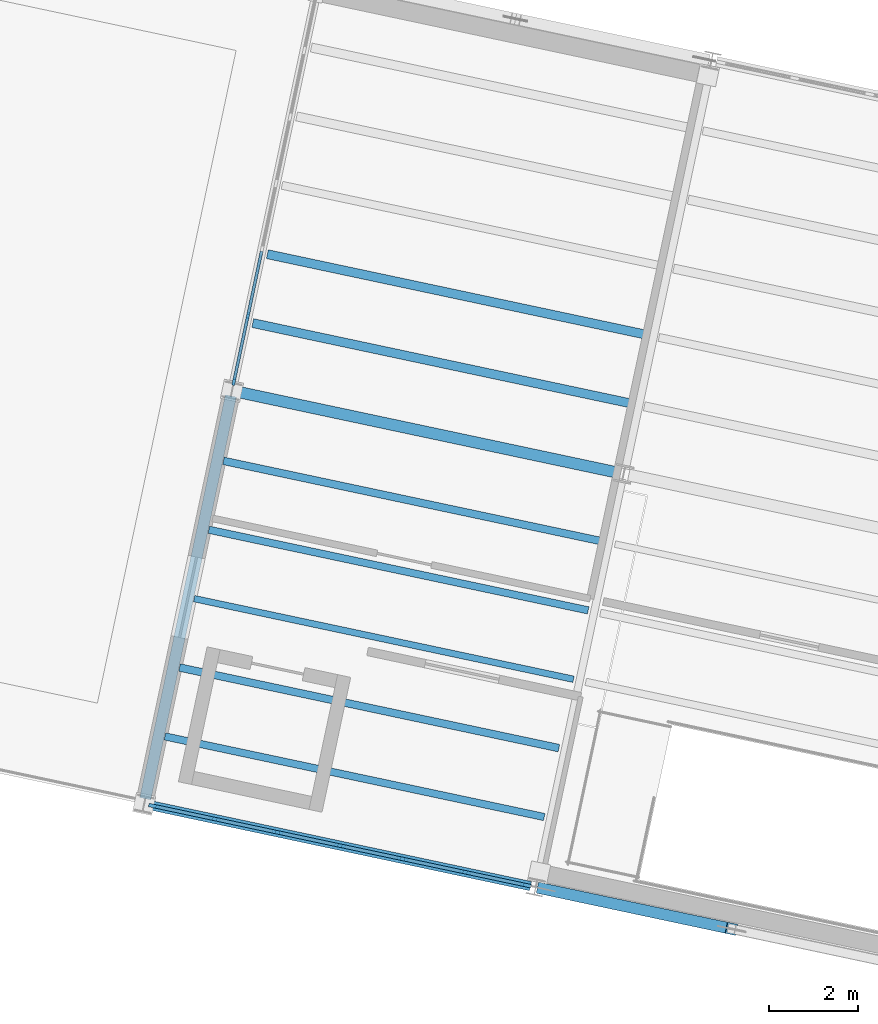
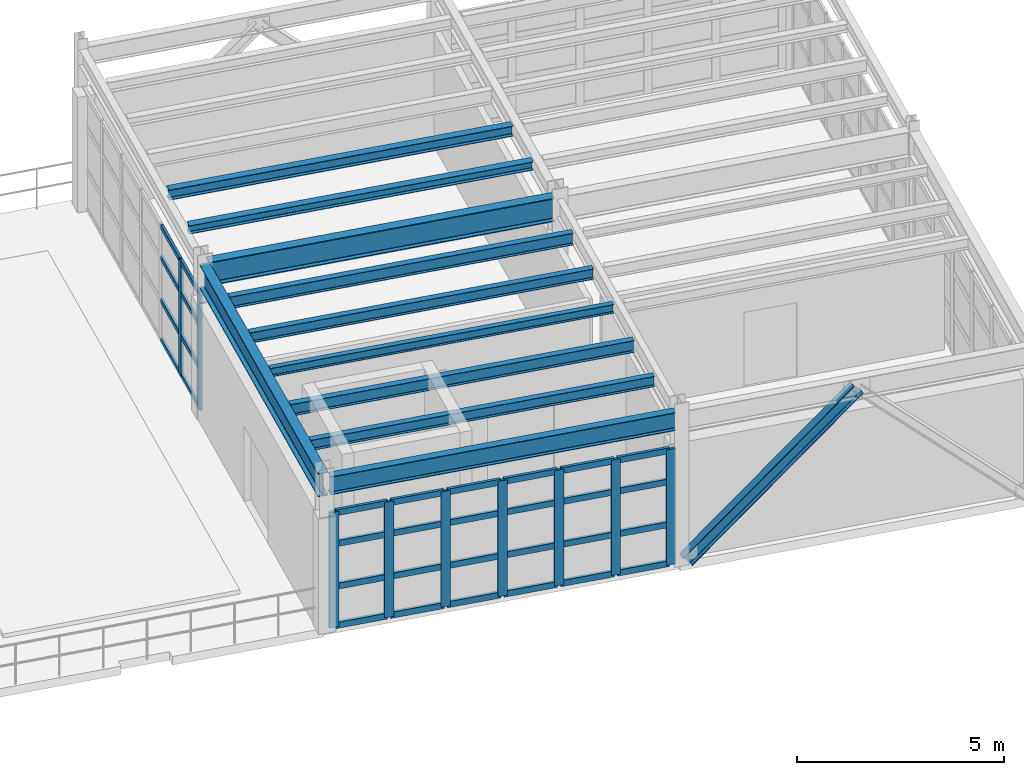
# One storey, part 54 of 109: 42 members, 10 beams, 2 elements without a shape of their own.
"""IFC4 building model written with IfcOpenShell, lengths in metres."""

from ifc_helpers import new_model, si_unit, direction, frame, origin, origin_2d, place, context, subcontext, project, spatial, rectangle, i_section, extrude, material, layer, layer_set, material_profile, profile_set, type_object, element, aggregate, save


model = new_model("IFC4")

# Units and contexts
model_context = context("Model", 3, precision=1e-05, world=origin(), true_north=direction((0.0, 1.0)))
body_context = subcontext(model_context, "Body", "Model", "MODEL_VIEW")
ifc_project = project(units=[si_unit("LENGTHUNIT", "METRE"), si_unit("AREAUNIT", "SQUARE_METRE"), si_unit("VOLUMEUNIT", "CUBIC_METRE"), si_unit("PLANEANGLEUNIT", "RADIAN"), si_unit("MASSUNIT", "GRAM", prefix="KILO")], contexts=[model_context])

# Site, building, storey
site_placement = place(None, origin())
site = spatial("IfcSite", under=ifc_project, at=site_placement, CompositionType="ELEMENT")
building_placement = place(site_placement, origin())
building = spatial("IfcBuilding", under=site, at=building_placement, Name="Vireo Bluff Cable Station", CompositionType="ELEMENT")
storey_placement = place(building_placement, frame((0.0, 0.0, 4.800048828125)))
storey = spatial("IfcBuildingStorey", under=building, at=storey_placement, Name="L01", CompositionType="ELEMENT", Elevation=4.800048828125)

# Member
ifc_material_1 = material(Name="Steel ASTM A992 Gr. 50", Category="steel")
ifc_material_profile_1 = material_profile(ifc_material_1, i_section(OverallWidth=0.25390625, OverallDepth=0.35302734375, WebThickness=0.009521484375, FlangeThickness=0.016357421875, FilletRadius=0.011962890625, at=origin_2d()), Name="W14X61")
ifc_profile_set_1 = profile_set([ifc_material_profile_1], Name="Steel ASTM A992 Gr. 50")
member_type_1 = type_object("IfcMemberType", Name="BRC-06", PredefinedType="BRACE", material=ifc_profile_set_1)
member_1_placement = place(storey_placement, frame((147.76318359375, 6.224365234375, 0.0400390625), z_axis=(0.707775608155, -0.150445056806, 0.690231825827), x_axis=(0.207915270313, 0.978146839882, 0.0)))
element("IfcMember", 1, at=member_1_placement, inside=storey, type_object=member_type_1, Name="V5E L01 concentric brace 107L", PredefinedType="BRACE", context=body_context, shape_type="SweptSolid", body=[
    extrude(i_section(OverallWidth=0.25390625, OverallDepth=0.35302734375, WebThickness=0.009521484375, FlangeThickness=0.016357421875, FilletRadius=0.011962890625, at=origin_2d()), origin(), (0.0, 0.0, 1.0), 5.997802734375),
])

# Curtain wall, members
ifc_material_2 = material(Name="Anodized Aluminium 6063-T6", Category="aluminium")
ifc_layer_1 = layer(ifc_material_2, 0.179931640625, Name="Anodized Aluminium 6063-T6")
ifc_layer_set_1 = layer_set([ifc_layer_1], Name="Anodized Aluminium 6063-T6")
curtain_wall_type_1 = type_object("IfcCurtainWallType", Name="CW-UNIT-1500", PredefinedType="USERDEFINED", material=ifc_layer_set_1)
curtain_wall_1_placement = place(storey_placement, origin())
curtain_wall_1 = element("IfcCurtainWall", 2, at=curtain_wall_1_placement, inside=storey, type_object=curtain_wall_type_1, Name="V5E L01 west curtain wall CW-136", ObjectType="UNITISED CURTAIN WALL", PredefinedType="USERDEFINED")
ifc_material_profile_2 = material_profile(ifc_material_2, rectangle(XDim=0.06494140625, YDim=0.179931640625, at=origin_2d()), Name="ALU-M-65X180")
ifc_profile_set_2 = profile_set([ifc_material_profile_2], Name="Anodized Aluminium 6063-T6")
member_type_2 = type_object("IfcMemberType", Name="CWM-01", PredefinedType="MULLION", material=ifc_profile_set_2)
member_2_placement = place(storey_placement, frame((140.822998046875, 17.631103515625, 0.0), z_axis=(0.0, 0.0, 1.0), x_axis=(-0.978147599921, 0.207911694642, 0.0)))
member_2 = element("IfcMember", 3, at=member_2_placement, type_object=member_type_2, Name="CW-136 mullion 1", PredefinedType="MULLION", context=body_context, shape_type="SweptSolid", body=[
    extrude(rectangle(XDim=0.06494140625, YDim=0.179931640625, at=origin_2d()), origin(), (0.0, 0.0, 1.0), 3.39990234375),
])
member_3_placement = place(storey_placement, frame((141.1337890625, 19.0927734375, 0.0), z_axis=(0.0, 0.0, 1.0), x_axis=(-0.978147599921, 0.207911694642, 0.0)))
member_3 = element("IfcMember", 4, at=member_3_placement, type_object=member_type_2, Name="CW-136 mullion 2", PredefinedType="MULLION", context=body_context, shape_type="SweptSolid", body=[
    extrude(rectangle(XDim=0.06494140625, YDim=0.179931640625, at=origin_2d()), origin(), (0.0, 0.0, 1.0), 3.39990234375),
])

ifc_layer_2 = layer(ifc_material_2, 0.179931640625, Name="Anodized Aluminium 6063-T6")
ifc_layer_set_2 = layer_set([ifc_layer_2], Name="Anodized Aluminium 6063-T6")
curtain_wall_type_2 = type_object("IfcCurtainWallType", Name="CW-UNIT-1400", PredefinedType="USERDEFINED", material=ifc_layer_set_2)
curtain_wall_2_placement = place(storey_placement, origin())
curtain_wall_2 = element("IfcCurtainWall", 5, at=curtain_wall_2_placement, inside=storey, type_object=curtain_wall_type_2, Name="V5E L01 south curtain wall CW-135", ObjectType="UNITISED CURTAIN WALL", PredefinedType="USERDEFINED")
ifc_material_profile_3 = material_profile(ifc_material_2, rectangle(XDim=0.080078125, YDim=0.239990234375, at=origin_2d()), Name="ALU-M-80X240")
ifc_profile_set_3 = profile_set([ifc_material_profile_3], Name="Anodized Aluminium 6063-T6")
member_type_3 = type_object("IfcMemberType", Name="CWM-04", PredefinedType="MULLION", material=ifc_profile_set_3)
member_4_placement = place(storey_placement, frame((147.384521484375, 6.3046875, 0.0), z_axis=(0.0, 0.0, 1.0), x_axis=(-0.207911668454, -0.978147605487, 0.0)))
member_4 = element("IfcMember", 6, at=member_4_placement, type_object=member_type_3, Name="CW-135 mullion 1", PredefinedType="MULLION", context=body_context, shape_type="SweptSolid", body=[
    extrude(rectangle(XDim=0.080078125, YDim=0.239990234375, at=origin_2d()), origin(), (0.0, 0.0, 1.0), 3.39990234375),
])
member_5_placement = place(storey_placement, frame((146.017578125, 6.595458984375, 0.0), z_axis=(0.0, 0.0, 1.0), x_axis=(-0.207911668454, -0.978147605487, 0.0)))
member_5 = element("IfcMember", 7, at=member_5_placement, type_object=member_type_3, Name="CW-135 mullion 2", PredefinedType="MULLION", context=body_context, shape_type="SweptSolid", body=[
    extrude(rectangle(XDim=0.080078125, YDim=0.239990234375, at=origin_2d()), origin(), (0.0, 0.0, 1.0), 3.39990234375),
])
member_6_placement = place(storey_placement, frame((144.611328125, 6.894287109375, 0.0), z_axis=(0.0, 0.0, 1.0), x_axis=(-0.207911668454, -0.978147605487, 0.0)))
member_6 = element("IfcMember", 8, at=member_6_placement, type_object=member_type_3, Name="CW-135 mullion 3", PredefinedType="MULLION", context=body_context, shape_type="SweptSolid", body=[
    extrude(rectangle(XDim=0.080078125, YDim=0.239990234375, at=origin_2d()), origin(), (0.0, 0.0, 1.0), 3.39990234375),
])
member_7_placement = place(storey_placement, frame((143.205078125, 7.193115234375, 0.0), z_axis=(0.0, 0.0, 1.0), x_axis=(-0.207911668454, -0.978147605487, 0.0)))
member_7 = element("IfcMember", 9, at=member_7_placement, type_object=member_type_3, Name="CW-135 mullion 4", PredefinedType="MULLION", context=body_context, shape_type="SweptSolid", body=[
    extrude(rectangle(XDim=0.080078125, YDim=0.239990234375, at=origin_2d()), origin(), (0.0, 0.0, 1.0), 3.39990234375),
])
member_8_placement = place(storey_placement, frame((141.798828125, 7.4921875, 0.0), z_axis=(0.0, 0.0, 1.0), x_axis=(-0.207911668454, -0.978147605487, 0.0)))
member_8 = element("IfcMember", 10, at=member_8_placement, type_object=member_type_3, Name="CW-135 mullion 5", PredefinedType="MULLION", context=body_context, shape_type="SweptSolid", body=[
    extrude(rectangle(XDim=0.080078125, YDim=0.239990234375, at=origin_2d()), origin(), (0.0, 0.0, 1.0), 3.39990234375),
])
member_9_placement = place(storey_placement, frame((140.392578125, 7.791015625, 0.0), z_axis=(0.0, 0.0, 1.0), x_axis=(-0.207911668454, -0.978147605487, 0.0)))
member_9 = element("IfcMember", 11, at=member_9_placement, type_object=member_type_3, Name="CW-135 mullion 6", PredefinedType="MULLION", context=body_context, shape_type="SweptSolid", body=[
    extrude(rectangle(XDim=0.080078125, YDim=0.239990234375, at=origin_2d()), origin(), (0.0, 0.0, 1.0), 3.39990234375),
])
member_10_placement = place(storey_placement, frame((139.025390625, 8.08154296875, 0.0), z_axis=(0.0, 0.0, 1.0), x_axis=(-0.207911668454, -0.978147605487, 0.0)))
member_10 = element("IfcMember", 12, at=member_10_placement, type_object=member_type_3, Name="CW-135 mullion 7", PredefinedType="MULLION", context=body_context, shape_type="SweptSolid", body=[
    extrude(rectangle(XDim=0.080078125, YDim=0.239990234375, at=origin_2d()), origin(), (0.0, 0.0, 1.0), 3.39990234375),
])

# Member
ifc_material_profile_4 = material_profile(ifc_material_2, rectangle(XDim=0.06494140625, YDim=0.139892578125, at=origin_2d()), Name="ALU-T-65X140")
ifc_profile_set_4 = profile_set([ifc_material_profile_4], Name="Anodized Aluminium 6063-T6")
member_type_4 = type_object("IfcMemberType", Name="CWT-01", PredefinedType="USERDEFINED", material=ifc_profile_set_4)
member_11_placement = place(storey_placement, frame((140.829833984375, 17.662841796875, 0.032470703125), z_axis=(0.207895530943, 0.978151035482, 0.0), x_axis=(-0.978151035482, 0.207895530943, 0.0)))
member_11 = element("IfcMember", 13, at=member_11_placement, type_object=member_type_4, Name="CW-136 transom 1.1", ObjectType="TRANSOM", PredefinedType="USERDEFINED", context=body_context, shape_type="SweptSolid", body=[
    extrude(rectangle(XDim=0.06494140625, YDim=0.139892578125, at=origin_2d()), origin(), (0.0, 0.0, 1.0), 1.42919921875),
])

member_12_placement = place(storey_placement, frame((140.829833984375, 17.662841796875, 1.18994140625), z_axis=(0.207895530943, 0.978151035482, 0.0), x_axis=(-0.978151035482, 0.207895530943, 0.0)))
member_12 = element("IfcMember", 14, at=member_12_placement, type_object=member_type_4, Name="CW-136 transom 1.2", ObjectType="TRANSOM", PredefinedType="USERDEFINED", context=body_context, shape_type="SweptSolid", body=[
    extrude(rectangle(XDim=0.06494140625, YDim=0.139892578125, at=origin_2d()), origin(), (0.0, 0.0, 1.0), 1.42919921875),
])

member_13_placement = place(storey_placement, frame((140.829833984375, 17.662841796875, 2.447998046875), z_axis=(0.207895530943, 0.978151035482, 0.0), x_axis=(-0.978151035482, 0.207895530943, 0.0)))
member_13 = element("IfcMember", 15, at=member_13_placement, type_object=member_type_4, Name="CW-136 transom 1.3", ObjectType="TRANSOM", PredefinedType="USERDEFINED", context=body_context, shape_type="SweptSolid", body=[
    extrude(rectangle(XDim=0.06494140625, YDim=0.139892578125, at=origin_2d()), origin(), (0.0, 0.0, 1.0), 1.42919921875),
])

member_14_placement = place(storey_placement, frame((140.829833984375, 17.662841796875, 3.367431640625), z_axis=(0.207895530943, 0.978151035482, 0.0), x_axis=(-0.978151035482, 0.207895530943, 0.0)))
member_14 = element("IfcMember", 16, at=member_14_placement, type_object=member_type_4, Name="CW-136 transom 1.4", ObjectType="TRANSOM", PredefinedType="USERDEFINED", context=body_context, shape_type="SweptSolid", body=[
    extrude(rectangle(XDim=0.06494140625, YDim=0.139892578125, at=origin_2d()), origin(), (0.0, 0.0, 1.0), 1.42919921875),
])

member_15_placement = place(storey_placement, frame((141.140625, 19.12451171875, 0.032470703125), z_axis=(0.207920673673, 0.978145691326, 0.0), x_axis=(-0.978145691326, 0.207920673673, 0.0)))
member_15 = element("IfcMember", 17, at=member_15_placement, type_object=member_type_4, Name="CW-136 transom 2.1", ObjectType="TRANSOM", PredefinedType="USERDEFINED", context=body_context, shape_type="SweptSolid", body=[
    extrude(rectangle(XDim=0.06494140625, YDim=0.139892578125, at=origin_2d()), origin(), (0.0, 0.0, 1.0), 1.4619140625),
])

member_16_placement = place(storey_placement, frame((141.140625, 19.12451171875, 1.18994140625), z_axis=(0.207920673673, 0.978145691326, 0.0), x_axis=(-0.978145691326, 0.207920673673, 0.0)))
member_16 = element("IfcMember", 18, at=member_16_placement, type_object=member_type_4, Name="CW-136 transom 2.2", ObjectType="TRANSOM", PredefinedType="USERDEFINED", context=body_context, shape_type="SweptSolid", body=[
    extrude(rectangle(XDim=0.06494140625, YDim=0.139892578125, at=origin_2d()), origin(), (0.0, 0.0, 1.0), 1.4619140625),
])

member_17_placement = place(storey_placement, frame((141.140625, 19.12451171875, 2.447998046875), z_axis=(0.207920673673, 0.978145691326, 0.0), x_axis=(-0.978145691326, 0.207920673673, 0.0)))
member_17 = element("IfcMember", 19, at=member_17_placement, type_object=member_type_4, Name="CW-136 transom 2.3", ObjectType="TRANSOM", PredefinedType="USERDEFINED", context=body_context, shape_type="SweptSolid", body=[
    extrude(rectangle(XDim=0.06494140625, YDim=0.139892578125, at=origin_2d()), origin(), (0.0, 0.0, 1.0), 1.4619140625),
])

member_18_placement = place(storey_placement, frame((141.140625, 19.12451171875, 3.367431640625), z_axis=(0.207920673673, 0.978145691326, 0.0), x_axis=(-0.978145691326, 0.207920673673, 0.0)))
member_18 = element("IfcMember", 20, at=member_18_placement, type_object=member_type_4, Name="CW-136 transom 2.4", ObjectType="TRANSOM", PredefinedType="USERDEFINED", context=body_context, shape_type="SweptSolid", body=[
    extrude(rectangle(XDim=0.06494140625, YDim=0.139892578125, at=origin_2d()), origin(), (0.0, 0.0, 1.0), 1.4619140625),
])

aggregate(curtain_wall_1, [member_2, member_3, member_11, member_12, member_13, member_14, member_15, member_16, member_17, member_18])

ifc_material_profile_5 = material_profile(ifc_material_2, rectangle(XDim=0.080078125, YDim=0.175048828125, at=origin_2d()), Name="ALU-T-80X175")
ifc_profile_set_5 = profile_set([ifc_material_profile_5], Name="Anodized Aluminium 6063-T6")
member_type_5 = type_object("IfcMemberType", Name="CWT-04", PredefinedType="USERDEFINED", material=ifc_profile_set_5)
member_19_placement = place(storey_placement, frame((147.345458984375, 6.31298828125, 0.0400390625), z_axis=(-0.978113150371, 0.208073701055, 0.0), x_axis=(-0.208073701055, -0.978113150371, 0.0)))
member_19 = element("IfcMember", 21, at=member_19_placement, type_object=member_type_5, Name="CW-135 transom 1.1", ObjectType="TRANSOM", PredefinedType="USERDEFINED", context=body_context, shape_type="SweptSolid", body=[
    extrude(rectangle(XDim=0.080078125, YDim=0.175048828125, at=origin_2d()), origin(), (0.0, 0.0, 1.0), 1.317626953125),
])

member_20_placement = place(storey_placement, frame((147.345458984375, 6.31298828125, 1.18994140625), z_axis=(-0.978113150371, 0.208073701055, 0.0), x_axis=(-0.208073701055, -0.978113150371, 0.0)))
member_20 = element("IfcMember", 22, at=member_20_placement, type_object=member_type_5, Name="CW-135 transom 1.2", ObjectType="TRANSOM", PredefinedType="USERDEFINED", context=body_context, shape_type="SweptSolid", body=[
    extrude(rectangle(XDim=0.080078125, YDim=0.175048828125, at=origin_2d()), origin(), (0.0, 0.0, 1.0), 1.317626953125),
])

member_21_placement = place(storey_placement, frame((147.345458984375, 6.31298828125, 2.447998046875), z_axis=(-0.978113150371, 0.208073701055, 0.0), x_axis=(-0.208073701055, -0.978113150371, 0.0)))
member_21 = element("IfcMember", 23, at=member_21_placement, type_object=member_type_5, Name="CW-135 transom 1.3", ObjectType="TRANSOM", PredefinedType="USERDEFINED", context=body_context, shape_type="SweptSolid", body=[
    extrude(rectangle(XDim=0.080078125, YDim=0.175048828125, at=origin_2d()), origin(), (0.0, 0.0, 1.0), 1.317626953125),
])

member_22_placement = place(storey_placement, frame((147.345458984375, 6.31298828125, 3.35986328125), z_axis=(-0.978113150371, 0.208073701055, 0.0), x_axis=(-0.208073701055, -0.978113150371, 0.0)))
member_22 = element("IfcMember", 24, at=member_22_placement, type_object=member_type_5, Name="CW-135 transom 1.4", ObjectType="TRANSOM", PredefinedType="USERDEFINED", context=body_context, shape_type="SweptSolid", body=[
    extrude(rectangle(XDim=0.080078125, YDim=0.175048828125, at=origin_2d()), origin(), (0.0, 0.0, 1.0), 1.317626953125),
])

member_23_placement = place(storey_placement, frame((145.978271484375, 6.603759765625, 0.0400390625), z_axis=(-0.97815108019, 0.207895320592, 0.0), x_axis=(-0.207895320592, -0.97815108019, 0.0)))
member_23 = element("IfcMember", 25, at=member_23_placement, type_object=member_type_5, Name="CW-135 transom 2.1", ObjectType="TRANSOM", PredefinedType="USERDEFINED", context=body_context, shape_type="SweptSolid", body=[
    extrude(rectangle(XDim=0.080078125, YDim=0.175048828125, at=origin_2d()), origin(), (0.0, 0.0, 1.0), 1.357421875),
])

member_24_placement = place(storey_placement, frame((145.978271484375, 6.603759765625, 1.18994140625), z_axis=(-0.97815108019, 0.207895320592, 0.0), x_axis=(-0.207895320592, -0.97815108019, 0.0)))
member_24 = element("IfcMember", 26, at=member_24_placement, type_object=member_type_5, Name="CW-135 transom 2.2", ObjectType="TRANSOM", PredefinedType="USERDEFINED", context=body_context, shape_type="SweptSolid", body=[
    extrude(rectangle(XDim=0.080078125, YDim=0.175048828125, at=origin_2d()), origin(), (0.0, 0.0, 1.0), 1.357421875),
])

member_25_placement = place(storey_placement, frame((145.978271484375, 6.603759765625, 2.447998046875), z_axis=(-0.97815108019, 0.207895320592, 0.0), x_axis=(-0.207895320592, -0.97815108019, 0.0)))
member_25 = element("IfcMember", 27, at=member_25_placement, type_object=member_type_5, Name="CW-135 transom 2.3", ObjectType="TRANSOM", PredefinedType="USERDEFINED", context=body_context, shape_type="SweptSolid", body=[
    extrude(rectangle(XDim=0.080078125, YDim=0.175048828125, at=origin_2d()), origin(), (0.0, 0.0, 1.0), 1.357421875),
])

member_26_placement = place(storey_placement, frame((145.978271484375, 6.603759765625, 3.35986328125), z_axis=(-0.97815108019, 0.207895320592, 0.0), x_axis=(-0.207895320592, -0.97815108019, 0.0)))
member_26 = element("IfcMember", 28, at=member_26_placement, type_object=member_type_5, Name="CW-135 transom 2.4", ObjectType="TRANSOM", PredefinedType="USERDEFINED", context=body_context, shape_type="SweptSolid", body=[
    extrude(rectangle(XDim=0.080078125, YDim=0.175048828125, at=origin_2d()), origin(), (0.0, 0.0, 1.0), 1.357421875),
])

member_27_placement = place(storey_placement, frame((144.572021484375, 6.902587890625, 0.0400390625), z_axis=(-0.97815108019, 0.207895320592, 0.0), x_axis=(-0.207895320592, -0.97815108019, 0.0)))
member_27 = element("IfcMember", 29, at=member_27_placement, type_object=member_type_5, Name="CW-135 transom 3.1", ObjectType="TRANSOM", PredefinedType="USERDEFINED", context=body_context, shape_type="SweptSolid", body=[
    extrude(rectangle(XDim=0.080078125, YDim=0.175048828125, at=origin_2d()), origin(), (0.0, 0.0, 1.0), 1.357421875),
])

member_28_placement = place(storey_placement, frame((144.572021484375, 6.902587890625, 1.18994140625), z_axis=(-0.97815108019, 0.207895320592, 0.0), x_axis=(-0.207895320592, -0.97815108019, 0.0)))
member_28 = element("IfcMember", 30, at=member_28_placement, type_object=member_type_5, Name="CW-135 transom 3.2", ObjectType="TRANSOM", PredefinedType="USERDEFINED", context=body_context, shape_type="SweptSolid", body=[
    extrude(rectangle(XDim=0.080078125, YDim=0.175048828125, at=origin_2d()), origin(), (0.0, 0.0, 1.0), 1.357421875),
])

member_29_placement = place(storey_placement, frame((144.572021484375, 6.902587890625, 2.447998046875), z_axis=(-0.97815108019, 0.207895320592, 0.0), x_axis=(-0.207895320592, -0.97815108019, 0.0)))
member_29 = element("IfcMember", 31, at=member_29_placement, type_object=member_type_5, Name="CW-135 transom 3.3", ObjectType="TRANSOM", PredefinedType="USERDEFINED", context=body_context, shape_type="SweptSolid", body=[
    extrude(rectangle(XDim=0.080078125, YDim=0.175048828125, at=origin_2d()), origin(), (0.0, 0.0, 1.0), 1.357421875),
])

member_30_placement = place(storey_placement, frame((144.572021484375, 6.902587890625, 3.35986328125), z_axis=(-0.97815108019, 0.207895320592, 0.0), x_axis=(-0.207895320592, -0.97815108019, 0.0)))
member_30 = element("IfcMember", 32, at=member_30_placement, type_object=member_type_5, Name="CW-135 transom 3.4", ObjectType="TRANSOM", PredefinedType="USERDEFINED", context=body_context, shape_type="SweptSolid", body=[
    extrude(rectangle(XDim=0.080078125, YDim=0.175048828125, at=origin_2d()), origin(), (0.0, 0.0, 1.0), 1.357421875),
])

member_31_placement = place(storey_placement, frame((143.165771484375, 7.201416015625, 0.0400390625), z_axis=(-0.978114495366, 0.208067378404, 0.0), x_axis=(-0.208067378404, -0.978114495366, 0.0)))
member_31 = element("IfcMember", 33, at=member_31_placement, type_object=member_type_5, Name="CW-135 transom 4.1", ObjectType="TRANSOM", PredefinedType="USERDEFINED", context=body_context, shape_type="SweptSolid", body=[
    extrude(rectangle(XDim=0.080078125, YDim=0.175048828125, at=origin_2d()), origin(), (0.0, 0.0, 1.0), 1.357666015625),
])

member_32_placement = place(storey_placement, frame((143.165771484375, 7.201416015625, 1.18994140625), z_axis=(-0.978114495366, 0.208067378404, 0.0), x_axis=(-0.208067378404, -0.978114495366, 0.0)))
member_32 = element("IfcMember", 34, at=member_32_placement, type_object=member_type_5, Name="CW-135 transom 4.2", ObjectType="TRANSOM", PredefinedType="USERDEFINED", context=body_context, shape_type="SweptSolid", body=[
    extrude(rectangle(XDim=0.080078125, YDim=0.175048828125, at=origin_2d()), origin(), (0.0, 0.0, 1.0), 1.357666015625),
])

member_33_placement = place(storey_placement, frame((143.165771484375, 7.201416015625, 2.447998046875), z_axis=(-0.978114495366, 0.208067378404, 0.0), x_axis=(-0.208067378404, -0.978114495366, 0.0)))
member_33 = element("IfcMember", 35, at=member_33_placement, type_object=member_type_5, Name="CW-135 transom 4.3", ObjectType="TRANSOM", PredefinedType="USERDEFINED", context=body_context, shape_type="SweptSolid", body=[
    extrude(rectangle(XDim=0.080078125, YDim=0.175048828125, at=origin_2d()), origin(), (0.0, 0.0, 1.0), 1.357666015625),
])

member_34_placement = place(storey_placement, frame((143.165771484375, 7.201416015625, 3.35986328125), z_axis=(-0.978114495366, 0.208067378404, 0.0), x_axis=(-0.208067378404, -0.978114495366, 0.0)))
member_34 = element("IfcMember", 36, at=member_34_placement, type_object=member_type_5, Name="CW-135 transom 4.4", ObjectType="TRANSOM", PredefinedType="USERDEFINED", context=body_context, shape_type="SweptSolid", body=[
    extrude(rectangle(XDim=0.080078125, YDim=0.175048828125, at=origin_2d()), origin(), (0.0, 0.0, 1.0), 1.357666015625),
])

member_35_placement = place(storey_placement, frame((141.759521484375, 7.50048828125, 0.0400390625), z_axis=(-0.97815108019, 0.207895320592, 0.0), x_axis=(-0.207895320592, -0.97815108019, 0.0)))
member_35 = element("IfcMember", 37, at=member_35_placement, type_object=member_type_5, Name="CW-135 transom 5.1", ObjectType="TRANSOM", PredefinedType="USERDEFINED", context=body_context, shape_type="SweptSolid", body=[
    extrude(rectangle(XDim=0.080078125, YDim=0.175048828125, at=origin_2d()), origin(), (0.0, 0.0, 1.0), 1.357421875),
])

member_36_placement = place(storey_placement, frame((141.759521484375, 7.50048828125, 1.18994140625), z_axis=(-0.97815108019, 0.207895320592, 0.0), x_axis=(-0.207895320592, -0.97815108019, 0.0)))
member_36 = element("IfcMember", 38, at=member_36_placement, type_object=member_type_5, Name="CW-135 transom 5.2", ObjectType="TRANSOM", PredefinedType="USERDEFINED", context=body_context, shape_type="SweptSolid", body=[
    extrude(rectangle(XDim=0.080078125, YDim=0.175048828125, at=origin_2d()), origin(), (0.0, 0.0, 1.0), 1.357421875),
])

member_37_placement = place(storey_placement, frame((141.759521484375, 7.50048828125, 2.447998046875), z_axis=(-0.97815108019, 0.207895320592, 0.0), x_axis=(-0.207895320592, -0.97815108019, 0.0)))
member_37 = element("IfcMember", 39, at=member_37_placement, type_object=member_type_5, Name="CW-135 transom 5.3", ObjectType="TRANSOM", PredefinedType="USERDEFINED", context=body_context, shape_type="SweptSolid", body=[
    extrude(rectangle(XDim=0.080078125, YDim=0.175048828125, at=origin_2d()), origin(), (0.0, 0.0, 1.0), 1.357421875),
])

member_38_placement = place(storey_placement, frame((141.759521484375, 7.50048828125, 3.35986328125), z_axis=(-0.97815108019, 0.207895320592, 0.0), x_axis=(-0.207895320592, -0.97815108019, 0.0)))
member_38 = element("IfcMember", 40, at=member_38_placement, type_object=member_type_5, Name="CW-135 transom 5.4", ObjectType="TRANSOM", PredefinedType="USERDEFINED", context=body_context, shape_type="SweptSolid", body=[
    extrude(rectangle(XDim=0.080078125, YDim=0.175048828125, at=origin_2d()), origin(), (0.0, 0.0, 1.0), 1.357421875),
])

member_39_placement = place(storey_placement, frame((140.353271484375, 7.79931640625, 0.0400390625), z_axis=(-0.978150844649, 0.207896428812, 0.0), x_axis=(-0.207896428812, -0.978150844649, 0.0)))
member_39 = element("IfcMember", 41, at=member_39_placement, type_object=member_type_5, Name="CW-135 transom 6.1", ObjectType="TRANSOM", PredefinedType="USERDEFINED", context=body_context, shape_type="SweptSolid", body=[
    extrude(rectangle(XDim=0.080078125, YDim=0.175048828125, at=origin_2d()), origin(), (0.0, 0.0, 1.0), 1.317626953125),
])

member_40_placement = place(storey_placement, frame((140.353271484375, 7.79931640625, 1.18994140625), z_axis=(-0.978150844649, 0.207896428812, 0.0), x_axis=(-0.207896428812, -0.978150844649, 0.0)))
member_40 = element("IfcMember", 42, at=member_40_placement, type_object=member_type_5, Name="CW-135 transom 6.2", ObjectType="TRANSOM", PredefinedType="USERDEFINED", context=body_context, shape_type="SweptSolid", body=[
    extrude(rectangle(XDim=0.080078125, YDim=0.175048828125, at=origin_2d()), origin(), (0.0, 0.0, 1.0), 1.317626953125),
])

member_41_placement = place(storey_placement, frame((140.353271484375, 7.79931640625, 2.447998046875), z_axis=(-0.978150844649, 0.207896428812, 0.0), x_axis=(-0.207896428812, -0.978150844649, 0.0)))
member_41 = element("IfcMember", 43, at=member_41_placement, type_object=member_type_5, Name="CW-135 transom 6.3", ObjectType="TRANSOM", PredefinedType="USERDEFINED", context=body_context, shape_type="SweptSolid", body=[
    extrude(rectangle(XDim=0.080078125, YDim=0.175048828125, at=origin_2d()), origin(), (0.0, 0.0, 1.0), 1.317626953125),
])

member_42_placement = place(storey_placement, frame((140.353271484375, 7.79931640625, 3.35986328125), z_axis=(-0.978150844649, 0.207896428812, 0.0), x_axis=(-0.207896428812, -0.978150844649, 0.0)))
member_42 = element("IfcMember", 44, at=member_42_placement, type_object=member_type_5, Name="CW-135 transom 6.4", ObjectType="TRANSOM", PredefinedType="USERDEFINED", context=body_context, shape_type="SweptSolid", body=[
    extrude(rectangle(XDim=0.080078125, YDim=0.175048828125, at=origin_2d()), origin(), (0.0, 0.0, 1.0), 1.317626953125),
])

aggregate(curtain_wall_2, [member_4, member_5, member_6, member_7, member_8, member_9, member_10, member_19, member_20, member_21, member_22, member_23, member_24, member_25, member_26, member_27, member_28, member_29, member_30, member_31, member_32, member_33, member_34, member_35, member_36, member_37, member_38, member_39, member_40, member_41, member_42])

# Beams
ifc_material_profile_6 = material_profile(ifc_material_1, i_section(OverallWidth=0.257080078125, OverallDepth=0.693115234375, WebThickness=0.014404296875, FlangeThickness=0.023681640625, FilletRadius=0.014892578125, at=origin_2d()), Name="W27X114")
ifc_profile_set_6 = profile_set([ifc_material_profile_6], Name="Steel ASTM A992 Gr. 50")
beam_type_1 = type_object("IfcBeamType", Name="GIR-W27X114", PredefinedType="USERDEFINED", material=ifc_profile_set_6)
beam_1_placement = place(storey_placement, frame((140.895751953125, 17.396240234375, 4.153564453125), z_axis=(0.978148154167, -0.207909087104, 0.0), x_axis=(0.207909087104, 0.978148154167, 0.0)))
element("IfcBeam", 45, at=beam_1_placement, inside=storey, type_object=beam_type_1, Name="V5E L01 girder 1335", ObjectType="GIRDER", PredefinedType="USERDEFINED", context=body_context, shape_type="SweptSolid", body=[
    extrude(i_section(OverallWidth=0.257080078125, OverallDepth=0.693115234375, WebThickness=0.014404296875, FlangeThickness=0.023681640625, FilletRadius=0.014892578125, at=origin_2d()), origin(), (0.0, 0.0, 1.0), 8.760009765625),
])
ifc_material_profile_7 = material_profile(ifc_material_1, i_section(OverallWidth=0.14599609375, OverallDepth=0.259033203125, WebThickness=0.006103515625, FlangeThickness=0.009033203125, FilletRadius=0.009033203125, at=origin_2d()), Name="W10X22")
ifc_profile_set_7 = profile_set([ifc_material_profile_7], Name="Steel ASTM A992 Gr. 50")
beam_type_2 = type_object("IfcBeamType", Name="JST-W10X22", PredefinedType="JOIST", material=ifc_profile_set_7)
beam_2_placement = place(storey_placement, frame((139.927734375, 12.745849609375, 4.370361328125), z_axis=(0.978148105174, -0.207909317601, 0.0), x_axis=(0.207909317601, 0.978148105174, 0.0)))
element("IfcBeam", 46, at=beam_2_placement, inside=storey, type_object=beam_type_2, Name="V5E L01 composite joist 1347", PredefinedType="JOIST", context=body_context, shape_type="SweptSolid", body=[
    extrude(i_section(OverallWidth=0.14599609375, OverallDepth=0.259033203125, WebThickness=0.006103515625, FlangeThickness=0.009033203125, FilletRadius=0.009033203125, at=origin_2d()), origin(), (0.0, 0.0, 1.0), 8.719970703125),
])
ifc_material_profile_8 = material_profile(ifc_material_1, i_section(OverallWidth=0.201904296875, OverallDepth=0.2470703125, WebThickness=0.00732421875, FlangeThickness=0.010986328125, FilletRadius=0.009033203125, at=origin_2d()), Name="W10X33")
ifc_profile_set_8 = profile_set([ifc_material_profile_8], Name="Steel ASTM A992 Gr. 50")
beam_type_3 = type_object("IfcBeamType", Name="JST-W10X33", PredefinedType="JOIST", material=ifc_profile_set_8)
beam_3_placement = place(storey_placement, frame((141.24462890625, 18.94091796875, 4.37646484375), z_axis=(0.978148105174, -0.207909317601, 0.0), x_axis=(0.207909317601, 0.978148105174, 0.0)))
element("IfcBeam", 47, at=beam_3_placement, inside=storey, type_object=beam_type_3, Name="V5E L01 composite joist 1350", PredefinedType="JOIST", context=body_context, shape_type="SweptSolid", body=[
    extrude(i_section(OverallWidth=0.201904296875, OverallDepth=0.2470703125, WebThickness=0.00732421875, FlangeThickness=0.010986328125, FilletRadius=0.009033203125, at=origin_2d()), origin(), (0.0, 0.0, 1.0), 8.719970703125),
])
ifc_material_profile_9 = material_profile(ifc_material_1, i_section(OverallWidth=0.1650390625, OverallDepth=0.31005859375, WebThickness=0.005859375, FlangeThickness=0.009765625, FilletRadius=0.010009765625, at=origin_2d()), Name="W12X26")
ifc_profile_set_9 = profile_set([ifc_material_profile_9], Name="Steel ASTM A992 Gr. 50")
beam_type_4 = type_object("IfcBeamType", Name="JST-W12X26", PredefinedType="JOIST", material=ifc_profile_set_9)
for number, where, z_axis, x_axis, name in (
    (48, (139.26953125, 9.6484375, 4.344970703125), (0.978146894897, -0.207915011493, 0.0), (0.207915011493, 0.978146894897, 0.0), "V5E L01 composite joist 1345"),
    (49, (140.257080078125, 14.294677734375, 4.344970703125), (0.978146894897, -0.207915011493, 0.0), (0.207915011493, 0.978146894897, 0.0), "V5E L01 composite joist 1348"),
):
    element("IfcBeam", number, at=place(storey_placement, frame(where, z_axis=z_axis, x_axis=x_axis)), inside=storey, type_object=beam_type_4, Name=name, PredefinedType="JOIST", context=body_context, shape_type="SweptSolid", body=[
        extrude(i_section(OverallWidth=0.1650390625, OverallDepth=0.31005859375, WebThickness=0.005859375, FlangeThickness=0.009765625, FilletRadius=0.010009765625, at=origin_2d()), origin(), (0.0, 0.0, 1.0), 8.719970703125),
    ])
ifc_material_profile_10 = material_profile(ifc_material_1, i_section(OverallWidth=0.202880859375, OverallDepth=0.302978515625, WebThickness=0.007568359375, FlangeThickness=0.01318359375, FilletRadius=0.010009765625, at=origin_2d()), Name="W12X40")
ifc_profile_set_10 = profile_set([ifc_material_profile_10], Name="Steel ASTM A992 Gr. 50")
beam_type_5 = type_object("IfcBeamType", Name="JST-W12X40", PredefinedType="JOIST", material=ifc_profile_set_10)
beam_4_placement = place(storey_placement, frame((141.57373046875, 20.489501953125, 4.348388671875), z_axis=(0.978148105174, -0.207909317601, 0.0), x_axis=(0.207909317601, 0.978148105174, 0.0)))
element("IfcBeam", 50, at=beam_4_placement, inside=storey, type_object=beam_type_5, Name="V5E L01 composite joist 1351", PredefinedType="JOIST", context=body_context, shape_type="SweptSolid", body=[
    extrude(i_section(OverallWidth=0.202880859375, OverallDepth=0.302978515625, WebThickness=0.007568359375, FlangeThickness=0.01318359375, FilletRadius=0.010009765625, at=origin_2d()), origin(), (0.0, 0.0, 1.0), 8.719970703125),
])
ifc_material_profile_11 = material_profile(ifc_material_1, i_section(OverallWidth=0.1708984375, OverallDepth=0.35107421875, WebThickness=0.0068359375, FlangeThickness=0.009765625, FilletRadius=0.010009765625, at=origin_2d()), Name="W14X30")
ifc_profile_set_11 = profile_set([ifc_material_profile_11], Name="Steel ASTM A992 Gr. 50")
beam_type_6 = type_object("IfcBeamType", Name="JST-W14X30", PredefinedType="JOIST", material=ifc_profile_set_11)
for number, where, z_axis, x_axis, name in (
    (51, (139.5986328125, 11.197265625, 4.324462890625), (0.978148105174, -0.207909317601, 0.0), (0.207909317601, 0.978148105174, 0.0), "V5E L01 composite joist 1346"),
    (52, (140.586181640625, 15.84326171875, 4.324462890625), (0.978148105174, -0.207909317601, 0.0), (0.207909317601, 0.978148105174, 0.0), "V5E L01 composite joist 1349"),
):
    element("IfcBeam", number, at=place(storey_placement, frame(where, z_axis=z_axis, x_axis=x_axis)), inside=storey, type_object=beam_type_6, Name=name, PredefinedType="JOIST", context=body_context, shape_type="SweptSolid", body=[
        extrude(i_section(OverallWidth=0.1708984375, OverallDepth=0.35107421875, WebThickness=0.0068359375, FlangeThickness=0.009765625, FilletRadius=0.010009765625, at=origin_2d()), origin(), (0.0, 0.0, 1.0), 8.719970703125),
    ])
ifc_material_profile_12 = material_profile(ifc_material_1, i_section(OverallWidth=0.2099609375, OverallDepth=0.535888671875, WebThickness=0.010986328125, FlangeThickness=0.017333984375, FilletRadius=0.012939453125, at=origin_2d()), Name="W21X68")
ifc_profile_set_12 = profile_set([ifc_material_profile_12], Name="Steel ASTM A992 Gr. 50")
beam_type_7 = type_object("IfcBeamType", Name="SPN-W21X68", PredefinedType="SPANDREL", material=ifc_profile_set_12)
beam_5_placement = place(storey_placement, frame((138.920654296875, 8.103759765625, 4.23193359375), z_axis=(0.978148154167, -0.207909087104, 0.0), x_axis=(0.207909087104, 0.978148154167, 0.0)))
element("IfcBeam", 53, at=beam_5_placement, inside=storey, type_object=beam_type_7, Name="V5E L01 spandrel 1333", PredefinedType="SPANDREL", context=body_context, shape_type="SweptSolid", body=[
    extrude(i_section(OverallWidth=0.2099609375, OverallDepth=0.535888671875, WebThickness=0.010986328125, FlangeThickness=0.017333984375, FilletRadius=0.012939453125, at=origin_2d()), origin(), (0.0, 0.0, 1.0), 8.760009765625),
])
ifc_material_profile_13 = material_profile(ifc_material_1, i_section(OverallWidth=0.257080078125, OverallDepth=0.693115234375, WebThickness=0.014404296875, FlangeThickness=0.023681640625, FilletRadius=0.014892578125, at=origin_2d()), Name="W27X114")
ifc_profile_set_13 = profile_set([ifc_material_profile_13], Name="Steel ASTM A992 Gr. 50")
beam_type_8 = type_object("IfcBeamType", Name="SPN-W27X114", PredefinedType="SPANDREL", material=ifc_profile_set_13)
beam_6_placement = place(storey_placement, frame((138.828369140625, 8.24609375, 4.153564453125), z_axis=(0.207890288422, 0.978152149709, 0.0), x_axis=(-0.978152149709, 0.207890288422, 0.0)))
element("IfcBeam", 54, at=beam_6_placement, inside=storey, type_object=beam_type_8, Name="V5E L01 spandrel 1339", PredefinedType="SPANDREL", context=body_context, shape_type="SweptSolid", body=[
    extrude(i_section(OverallWidth=0.257080078125, OverallDepth=0.693115234375, WebThickness=0.014404296875, FlangeThickness=0.023681640625, FilletRadius=0.014892578125, at=origin_2d()), origin(), (0.0, 0.0, 1.0), 9.260009765625),
])

save(model, "model.ifc")
